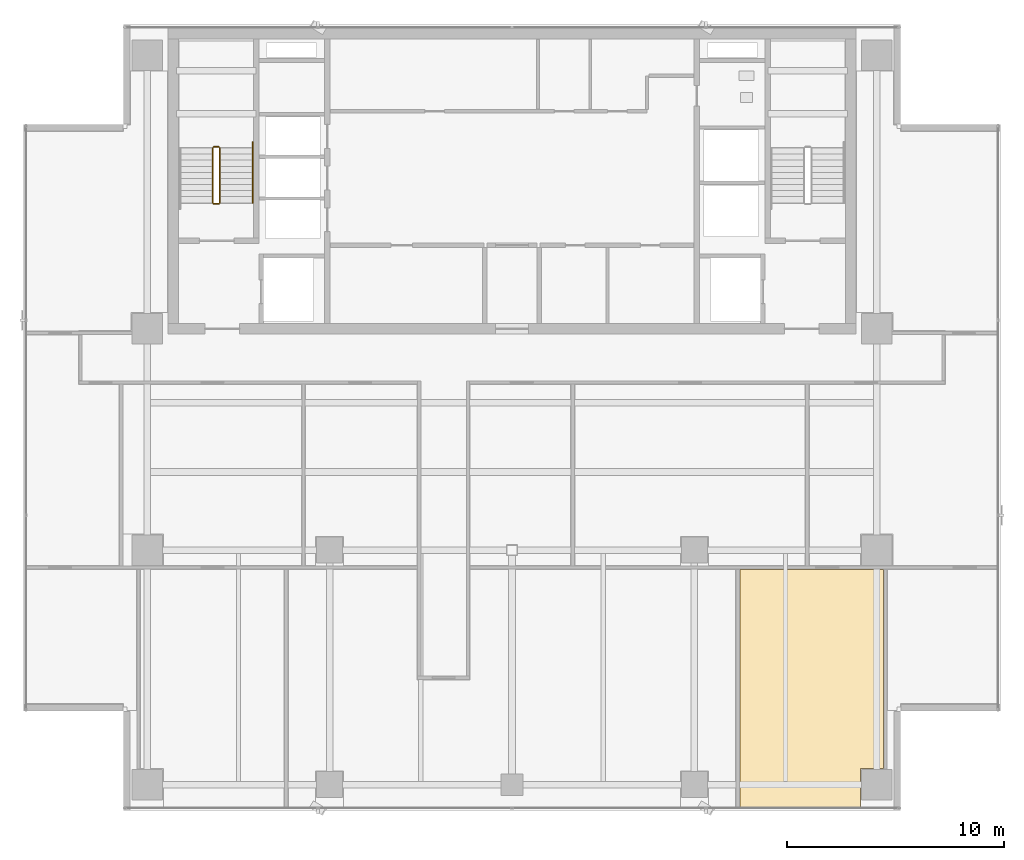
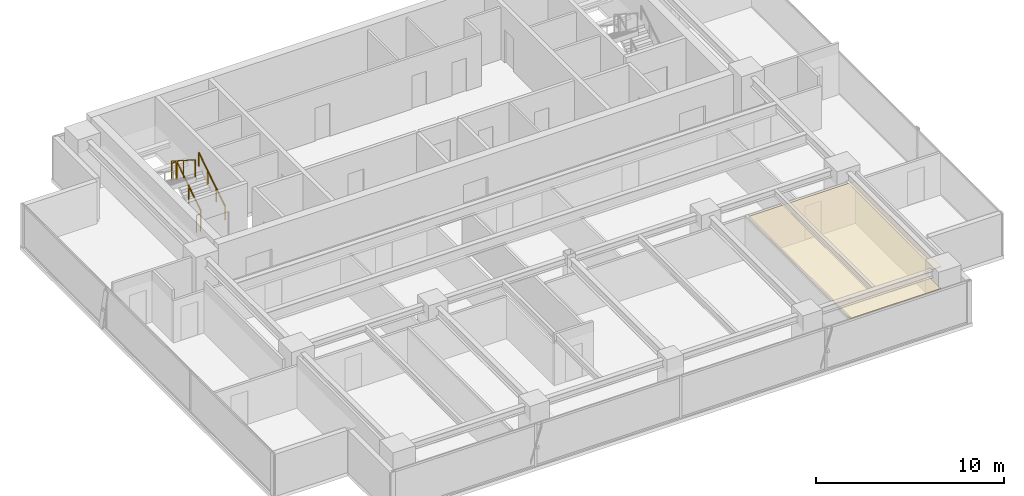
# One storey, part 23 of 26: 5 railings, 1 covering.
"""IFC4 building model written with IfcOpenShell, lengths in metres."""

from ifc_helpers import new_model, si_unit, direction, frame, origin, origin_2d, place, context, subcontext, project, spatial, polyline, rectangle, outline, extrude, material, layer, layer_set, type_object, element, save


model = new_model("IFC4")

# Units and contexts
model_context = context("Model", 3, precision=1e-05, world=origin(), true_north=direction((0.0, 1.0)))
body_context = subcontext(model_context, "Body", "Model", "MODEL_VIEW")
ifc_project = project(units=[si_unit("LENGTHUNIT", "METRE"), si_unit("AREAUNIT", "SQUARE_METRE"), si_unit("VOLUMEUNIT", "CUBIC_METRE"), si_unit("PLANEANGLEUNIT", "RADIAN"), si_unit("MASSUNIT", "GRAM", prefix="KILO")], contexts=[model_context])

# Site, building, storey
site_placement = place(None, origin())
site = spatial("IfcSite", under=ifc_project, at=site_placement, CompositionType="ELEMENT")
building_placement = place(site_placement, origin())
building = spatial("IfcBuilding", under=site, at=building_placement, Name="Sumidabori Civic Tower", CompositionType="ELEMENT")
storey_placement = place(building_placement, frame((0.0, 0.0, 250.39990234375)))
storey = spatial("IfcBuildingStorey", under=building, at=storey_placement, Name="L65", CompositionType="ELEMENT", Elevation=250.39990234375)

# Covering
ifc_material_1 = material(Name="Anodised Bronze Baffle Ceiling")
ifc_layer = layer(ifc_material_1, 0.054931640625, Name="Anodised Bronze Baffle Ceiling")
ifc_layer_set = layer_set([ifc_layer], Name="Anodised Bronze Baffle Ceiling")
covering_type = type_object("IfcCoveringType", Name="CV-CEIL-AC3", PredefinedType="CEILING", material=ifc_layer_set)
covering_placement = place(storey_placement, frame((0.0, 0.0, 2.72021484375)))
element("IfcCovering", 1, at=covering_placement, inside=storey, type_object=covering_type, Name="Room Acoustic Ceiling L65-12", PredefinedType="CEILING", context=body_context, shape_type="SweptSolid", body=[
    extrude(outline(polyline([(10.4951171875, -11.830078125), (10.4951171875, -0.89501953125), (17.10498046875, -0.89501953125), (17.10498046875, -10.06005859375), (16.06005859375, -10.06005859375), (16.06005859375, -11.830078125), (10.4951171875, -11.830078125)])), origin(), (0.0, 0.0, 1.0), 0.054931640625),
])

# Railings
ifc_material_2 = material(Name="Stainless Steel Hairline Finish", Category="steel")
railing_type_1 = type_object("IfcRailingType", Name="RL-HANDRAIL", PredefinedType="HANDRAIL", material=ifc_material_2)
railing_1_placement = place(storey_placement, frame((-11.949951171875, 16.0, 0.18017578125)))
element("IfcRailing", 2, at=railing_1_placement, inside=storey, type_object=railing_type_1, Name="L65 ST-1 stair handrail 1", PredefinedType="HANDRAIL", context=body_context, shape_type="SweptSolid", body=[
    extrude(rectangle(XDim=0.048095703125, YDim=0.048095703125, at=origin_2d()), frame((0.0, 0.0, 0.8759765625), z_axis=(0.0, 0.840675598268, 0.541539046124), x_axis=(-1.0, 0.0, 0.0)), (0.0, 0.0, 1.0), 3.330810546875),
    extrude(rectangle(XDim=0.0419921875, YDim=0.0419921875, at=origin_2d()), origin(), (0.0, 0.0, 1.0), 0.851806640625),
    extrude(rectangle(XDim=0.0419921875, YDim=0.0419921875, at=origin_2d()), frame((0.0, 0.933349609375, 0.601318359375)), (0.0, 0.0, 1.0), 0.851806640625),
    extrude(rectangle(XDim=0.0419921875, YDim=0.0419921875, at=origin_2d()), frame((0.0, 1.86669921875, 1.202392578125)), (0.0, 0.0, 1.0), 0.851806640625),
    extrude(rectangle(XDim=0.0419921875, YDim=0.0419921875, at=origin_2d()), frame((0.0, 2.800048828125, 1.8037109375)), (0.0, 0.0, 1.0), 0.851806640625),
])
ifc_material_3 = material(Name="Steel SN490", Category="steel")
railing_type_2 = type_object("IfcRailingType", Name="RL-STAIR-GUARD", PredefinedType="GUARDRAIL", material=ifc_material_3)
railing_2_placement = place(storey_placement, frame((-13.449951171875, 16.0, 0.18017578125)))
element("IfcRailing", 3, at=railing_2_placement, inside=storey, type_object=railing_type_2, Name="L65 ST-1 stair guard 1", PredefinedType="GUARDRAIL", context=body_context, shape_type="SweptSolid", body=[
    extrude(rectangle(XDim=0.048095703125, YDim=0.048095703125, at=origin_2d()), frame((0.0, 0.0, 1.1259765625), z_axis=(0.0, 0.841199657755, 0.540724639528), x_axis=(-1.0, 0.0, 0.0)), (0.0, 0.0, 1.0), 2.995849609375),
    extrude(rectangle(XDim=0.0419921875, YDim=0.0419921875, at=origin_2d()), origin(), (0.0, 0.0, 1.0), 1.101806640625),
    extrude(rectangle(XDim=0.0419921875, YDim=0.0419921875, at=origin_2d()), frame((0.0, 1.260009765625, 0.81005859375)), (0.0, 0.0, 1.0), 1.101806640625),
    extrude(rectangle(XDim=0.0419921875, YDim=0.0419921875, at=origin_2d()), frame((0.0, 2.52001953125, 1.619873046875)), (0.0, 0.0, 1.0), 1.101806640625),
])
railing_3_placement = place(storey_placement, frame((-13.5, 18.570068359375, 1.800048828125)))
element("IfcRailing", 4, at=railing_3_placement, inside=storey, type_object=railing_type_2, Name="L65 ST-1 stair guard 2", PredefinedType="GUARDRAIL", context=body_context, shape_type="SweptSolid", body=[
    extrude(rectangle(XDim=0.048095703125, YDim=0.048095703125, at=origin_2d()), frame((0.0, 0.0, 1.1259765625), z_axis=(-1.0, 0.0, 0.0), x_axis=(0.0, -1.0, 0.0)), (0.0, 0.0, 1.0), 0.239990234375),
    extrude(rectangle(XDim=0.0419921875, YDim=0.0419921875, at=origin_2d()), origin(), (0.0, 0.0, 1.0), 1.101806640625),
    extrude(rectangle(XDim=0.0419921875, YDim=0.0419921875, at=origin_2d()), frame((-0.239990234375, 0.0, 0.0)), (0.0, 0.0, 1.0), 1.101806640625),
])
railing_4_placement = place(storey_placement, frame((-13.7900390625, 18.52001953125, 1.97998046875)))
element("IfcRailing", 5, at=railing_4_placement, inside=storey, type_object=railing_type_2, Name="L65 ST-1 stair guard 3", PredefinedType="GUARDRAIL", context=body_context, shape_type="SweptSolid", body=[
    extrude(rectangle(XDim=0.048095703125, YDim=0.048095703125, at=origin_2d()), frame((0.0, 0.0, 1.1259765625), z_axis=(0.0, -0.841162588446, 0.540782303519), x_axis=(1.0, 0.0, 0.0)), (0.0, 0.0, 1.0), 2.995849609375),
    extrude(rectangle(XDim=0.0419921875, YDim=0.0419921875, at=origin_2d()), origin(), (0.0, 0.0, 1.0), 1.101806640625),
    extrude(rectangle(XDim=0.0419921875, YDim=0.0419921875, at=origin_2d()), frame((0.0, -1.260009765625, 0.81005859375)), (0.0, 0.0, 1.0), 1.101806640625),
    extrude(rectangle(XDim=0.0419921875, YDim=0.0419921875, at=origin_2d()), frame((0.0, -2.52001953125, 1.6201171875)), (0.0, 0.0, 1.0), 1.101806640625),
])
railing_5_placement = place(storey_placement, frame((-13.5, 15.949951171875, 0.0)))
element("IfcRailing", 6, at=railing_5_placement, inside=storey, type_object=railing_type_2, Name="L65 ST-1 stair guard 4", PredefinedType="GUARDRAIL", context=body_context, shape_type="SweptSolid", body=[
    extrude(rectangle(XDim=0.048095703125, YDim=0.048095703125, at=origin_2d()), frame((0.0, 0.0, 1.1259765625), z_axis=(-1.0, 0.0, 0.0), x_axis=(0.0, -1.0, 0.0)), (0.0, 0.0, 1.0), 0.239990234375),
    extrude(rectangle(XDim=0.0419921875, YDim=0.0419921875, at=origin_2d()), origin(), (0.0, 0.0, 1.0), 1.101806640625),
    extrude(rectangle(XDim=0.0419921875, YDim=0.0419921875, at=origin_2d()), frame((-0.239990234375, 0.0, 0.0)), (0.0, 0.0, 1.0), 1.101806640625),
])

save(model, "model.ifc")
